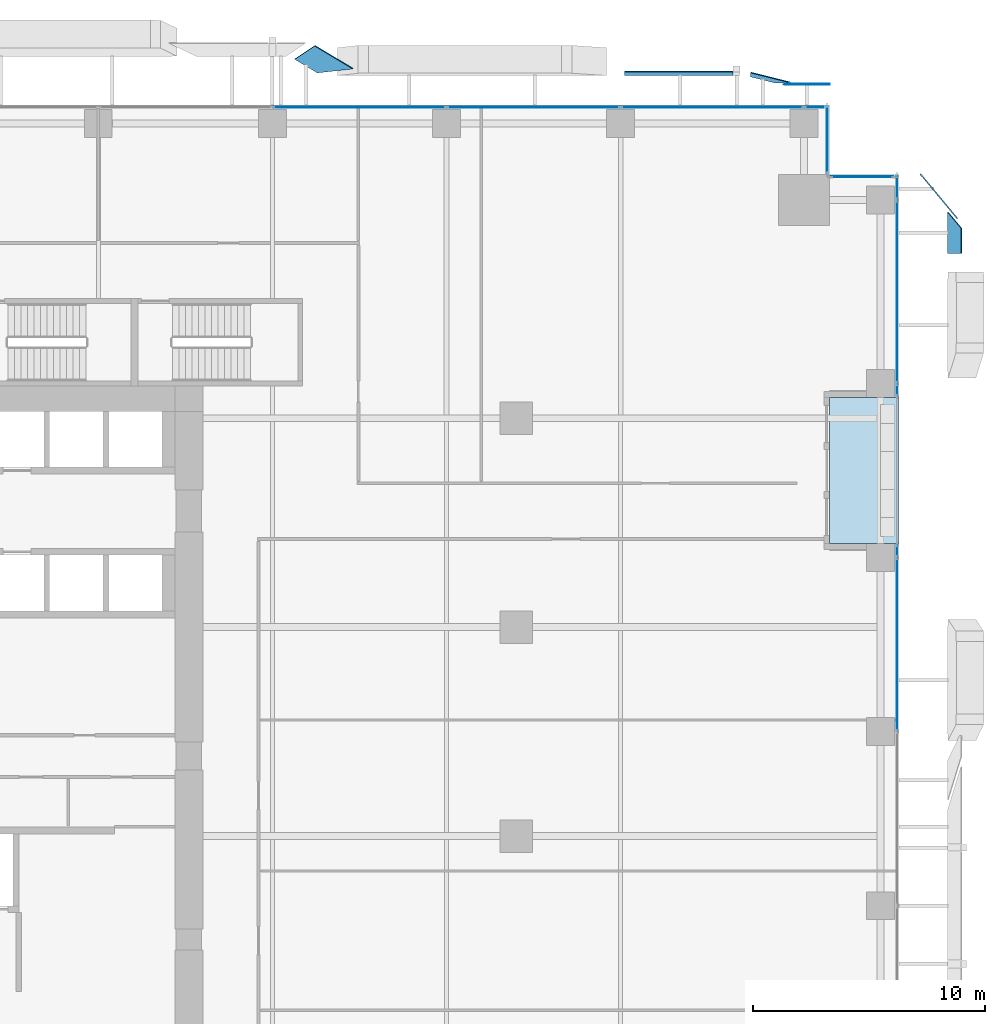
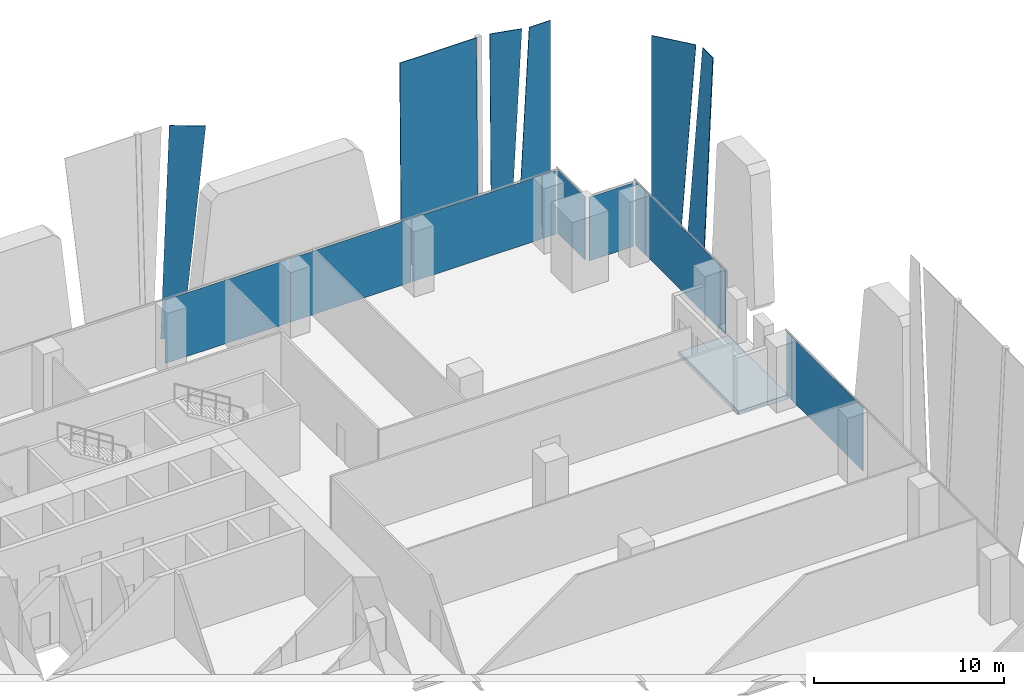
# One storey, part 28 of 37: 17 plates, 1 slab, 5 elements without a shape of their own.
"""IFC4 building model written with IfcOpenShell, lengths in metres."""

from ifc_helpers import new_model, si_unit, direction, frame, origin, origin_2d, place, context, subcontext, project, spatial, polyline, rectangle, outline, extrude, source, transform, mapped, material, layer, layer_set, type_object, element, aggregate, save


model = new_model("IFC4")

# Units and contexts
model_context = context("Model", 3, precision=1e-05, world=origin(), true_north=direction((0.0, 1.0)))
body_context = subcontext(model_context, "Body", "Model", "MODEL_VIEW")
ifc_project = project(units=[si_unit("LENGTHUNIT", "METRE"), si_unit("AREAUNIT", "SQUARE_METRE"), si_unit("VOLUMEUNIT", "CUBIC_METRE"), si_unit("PLANEANGLEUNIT", "RADIAN"), si_unit("MASSUNIT", "GRAM", prefix="KILO")], contexts=[model_context])

# Site, building, storey
site_placement = place(None, origin())
site = spatial("IfcSite", under=ifc_project, at=site_placement, CompositionType="ELEMENT")
building_placement = place(site_placement, origin())
building = spatial("IfcBuilding", under=site, at=building_placement, Name="Khomas Fold Tower", CompositionType="ELEMENT")
storey_placement = place(building_placement, frame((0.0, 0.0, 60.0)))
storey = spatial("IfcBuildingStorey", under=building, at=storey_placement, Name="L12", CompositionType="ELEMENT", Elevation=60.0)

# Plates
ifc_material_1 = material(Name="Clear laminated glass", Category="glass")
ifc_layer_1 = layer(ifc_material_1, 0.0400390625)
ifc_layer_set_1 = layer_set([ifc_layer_1], Name="Clear laminated glass")
plate_type_1 = type_object("IfcPlateType", Name="SK-Clear laminated glass leaf", PredefinedType="SHEET", material=ifc_layer_set_1)
plate_1_placement = place(storey_placement, frame((56.654052734375, 47.60009765625, 13.050048828125), z_axis=(-0.99904235518, 0.0, 0.043753543365), x_axis=(0.0, 1.0, 0.0)))
element("IfcPlate", 1, at=plate_1_placement, inside=storey, type_object=plate_type_1, Name="OUTER SKIN glass L12 EG107-9", PredefinedType="SHEET", context=body_context, shape_type="SweptSolid", body=[
    extrude(outline(polyline([(0.0, 0.0), (1.0947265625, 0.0), (1.78076171875, 13.062558119247585), (0.0, 13.062558119247585), (0.0, 0.0)])), origin(), (0.0, 0.0, -1.0), 0.0400390625),
])
plate_2_placement = place(storey_placement, frame((55.91552734375, 49.78125, 0.0), z_axis=(-0.768216357464, -0.640190306177, 9.34679e-07), x_axis=(0.043692652337, -0.052428906534, 0.997668362679)))
element("IfcPlate", 2, at=plate_2_placement, inside=storey, type_object=plate_type_1, Name="OUTER SKIN glass L12 EG107-10", PredefinedType="SHEET", context=body_context, shape_type="SweptSolid", body=[
    extrude(outline(polyline([(0.0, 0.0), (13.080547921845024, 0.0), (12.911347767373046, 2.4734023024010394), (-0.10827307986849316, 1.5827579231051128), (0.0, 0.0)])), origin(), (0.0, 0.0, -1.0), 0.0400390625),
])
plate_3_placement = place(storey_placement, frame((28.935302734375, 55.37548828125, 0.0), z_axis=(-0.513154223357, -0.855336671801, 0.071217420085), x_axis=(-0.857513950758, 0.514460712054, 2.917833e-06)))
element("IfcPlate", 3, at=plate_3_placement, inside=storey, type_object=plate_type_1, Name="OUTER SKIN glass L12 NG103-9", PredefinedType="SHEET", context=body_context, shape_type="SweptSolid", body=[
    extrude(outline(polyline([(0.0, 0.0), (1.1402813632448845, 6.938893903907228e-18), (0.6982621842827377, -13.083267617054636), (-1.219498975315713, -13.083276562626017), (0.0, 0.0)])), origin(), (0.0, 0.0, -1.0), 0.0400390625),
])
plate_4_placement = place(storey_placement, frame((42.317138671875, 55.254638671875, 0.0), z_axis=(-1.429417e-05, -0.999913529093, 0.013150442287), x_axis=(-0.19235584506, 0.012907610279, 0.981240348981)))
element("IfcPlate", 4, at=plate_4_placement, inside=storey, type_object=plate_type_1, Name="OUTER SKIN glass L12 NG106-10", PredefinedType="SHEET", context=body_context, shape_type="SweptSolid", body=[
    extrude(outline(polyline([(0.0, 0.0), (0.7653357177875576, 0.0), (12.83576782194271, -2.3660026996600547), (11.939359528364452, -6.939131654892006), (-0.868090282208408, -4.428661396556088), (0.0, 0.0)])), origin(), (0.0, 0.0, -1.0), 0.0400390625),
])
plate_5_placement = place(storey_placement, frame((49.019287109375, 54.89990234375, 0.0), z_axis=(0.0, 1.0, 0.0), x_axis=(0.052478427046, 0.0, 0.998622057985)))
element("IfcPlate", 5, at=plate_5_placement, inside=storey, type_object=plate_type_1, Name="OUTER SKIN glass L12 NG107-12", PredefinedType="SHEET", context=body_context, shape_type="SweptSolid", body=[
    extrude(outline(polyline([(0.0, 0.0), (13.068055851333002, 0.0), (13.136011314480237, 1.2931375477426834), (0.10394469692939749, 1.9779835831139498), (0.0, 0.0)])), origin(), (0.0, 0.0, -1.0), 0.0400390625),
])
plate_6_placement = place(storey_placement, frame((48.61865234375, 54.949951171875, 0.0), z_axis=(-0.242659173669, -0.970027872378, 0.012745675502), x_axis=(-0.97010667051, 0.242678898613, 9.92907e-07)))
element("IfcPlate", 6, at=plate_6_placement, inside=storey, type_object=plate_type_1, Name="OUTER SKIN glass L12 NG107-13", PredefinedType="SHEET", context=body_context, shape_type="SweptSolid", body=[
    extrude(outline(polyline([(0.0, 0.0), (1.049961376835336, 0.0), (1.0915662744573706, -13.051107878245979), (-0.6652774813543972, -13.051110665367574), (0.0, 0.0)])), origin(), (0.0, 0.0, -1.0), 0.0400390625),
])

# Curtain wall, plate
ifc_material_2 = material(Name="Aluminium framed double glazing", Category="aluminium")
curtain_wall_type = type_object("IfcCurtainWallType", Name="SK-Unitised clear-glass wall, growing floors CW1", PredefinedType="NOTDEFINED", material=ifc_material_2)
curtain_wall_1_placement = place(storey_placement, origin())
curtain_wall_1 = element("IfcCurtainWall", 7, at=curtain_wall_1_placement, inside=storey, type_object=curtain_wall_type, Name="CW1 run L12 06-0", PredefinedType="NOTDEFINED")
ifc_material_3 = material(Name="Clear double glazed unit")
ifc_layer_2 = layer(ifc_material_3, 0.031982421875)
ifc_layer_set_2 = layer_set([ifc_layer_2], Name="Clear double glazed unit")
plate_type_2 = type_object("IfcPlateType", Name="SK-Unitised clear-glass wall, growing floors glass panel CW1-P", PredefinedType="CURTAIN_PANEL", material=ifc_layer_set_2)
shared_shape_1 = source(origin(), body_context, "Body", "SweptSolid", [
    extrude(rectangle(XDim=0.81005859375, YDim=0.031982421875, at=origin_2d()), origin(), (0.0, 0.0, 1.0), 4.080078125),
])
plate_7_placement = place(storey_placement, frame((50.3349609375, 53.89990234375, 0.0), z_axis=(0.0, 0.0, 1.0), x_axis=(-1.0, 0.0, 0.0)))
plate_7 = element("IfcPlate", 8, at=plate_7_placement, type_object=plate_type_2, Name="CW1 glass panel 1", PredefinedType="CURTAIN_PANEL", context=body_context, shape_type="MappedRepresentation", body=[
    mapped(shared_shape_1, transform((0.0, 0.0, 0.0))),
])

curtain_wall_2_placement = place(storey_placement, origin())
curtain_wall_2 = element("IfcCurtainWall", 9, at=curtain_wall_2_placement, inside=storey, type_object=curtain_wall_type, Name="CW1 run L12 03-1", PredefinedType="NOTDEFINED")
shared_shape_2 = source(origin(), body_context, "Body", "SweptSolid", [
    extrude(rectangle(XDim=7.840087890625, YDim=0.031982421875, at=origin_2d()), origin(), (0.0, 0.0, 1.0), 4.080078125),
])
plate_8_placement = place(storey_placement, frame((53.89990234375, 45.949951171875, 0.0), z_axis=(0.0, 0.0, 1.0), x_axis=(0.0, 1.0, 0.0)))
plate_8 = element("IfcPlate", 10, at=plate_8_placement, type_object=plate_type_2, Name="CW1 glass panel 2", PredefinedType="CURTAIN_PANEL", context=body_context, shape_type="MappedRepresentation", body=[
    mapped(shared_shape_2, transform((0.0, 0.0, 0.0))),
])

# Plate
plate_9_placement = place(storey_placement, frame((45.949951171875, 53.89990234375, 0.0), z_axis=(0.0, 0.0, 1.0), x_axis=(-1.0, 0.0, 0.0)))
plate_9 = element("IfcPlate", 11, at=plate_9_placement, type_object=plate_type_2, Name="CW1 glass panel 2", PredefinedType="CURTAIN_PANEL", context=body_context, shape_type="MappedRepresentation", body=[
    mapped(shared_shape_2, transform((0.0, 0.0, 0.0))),
])

# Curtain wall, plate
curtain_wall_3_placement = place(storey_placement, origin())
curtain_wall_3 = element("IfcCurtainWall", 12, at=curtain_wall_3_placement, inside=storey, type_object=curtain_wall_type, Name="CW1 run L12 03-0", PredefinedType="NOTDEFINED")
shared_shape_3 = source(origin(), body_context, "Body", "SweptSolid", [
    extrude(rectangle(XDim=7.43994140625, YDim=0.031982421875, at=origin_2d()), origin(), (0.0, 0.0, 1.0), 4.080078125),
])
plate_10_placement = place(storey_placement, frame((53.89990234375, 30.75, 0.0), z_axis=(0.0, 0.0, 1.0), x_axis=(0.0, 1.0, 0.0)))
plate_10 = element("IfcPlate", 13, at=plate_10_placement, type_object=plate_type_2, Name="CW1 glass panel 5", PredefinedType="CURTAIN_PANEL", context=body_context, shape_type="MappedRepresentation", body=[
    mapped(shared_shape_3, transform((0.0, 0.0, 0.0))),
])

# Plate
plate_11_placement = place(storey_placement, frame((38.25, 53.89990234375, 0.0), z_axis=(0.0, 0.0, 1.0), x_axis=(-1.0, 0.0, 0.0)))
plate_11 = element("IfcPlate", 14, at=plate_11_placement, type_object=plate_type_2, Name="CW1 glass panel 3", PredefinedType="CURTAIN_PANEL", context=body_context, shape_type="MappedRepresentation", body=[
    mapped(shared_shape_3, transform((0.0, 0.0, 0.0))),
])

plate_12_placement = place(storey_placement, frame((30.75, 53.89990234375, 0.0), z_axis=(0.0, 0.0, 1.0), x_axis=(-1.0, 0.0, 0.0)))
plate_12 = element("IfcPlate", 15, at=plate_12_placement, type_object=plate_type_2, Name="CW1 glass panel 4", PredefinedType="CURTAIN_PANEL", context=body_context, shape_type="MappedRepresentation", body=[
    mapped(shared_shape_3, transform((0.0, 0.0, 0.0))),
])

aggregate(curtain_wall_1, [plate_7, plate_9, plate_11, plate_12])

shared_shape_4 = source(origin(), body_context, "Body", "SweptSolid", [
    extrude(rectangle(XDim=1.010009765625, YDim=0.031982421875, at=origin_2d()), origin(), (0.0, 0.0, 1.0), 4.080078125),
])
plate_13_placement = place(storey_placement, frame((53.89990234375, 50.43505859375, 0.0), z_axis=(0.0, 0.0, 1.0), x_axis=(0.0, 1.0, 0.0)))
plate_13 = element("IfcPlate", 16, at=plate_13_placement, type_object=plate_type_2, Name="CW1 glass panel 3", PredefinedType="CURTAIN_PANEL", context=body_context, shape_type="MappedRepresentation", body=[
    mapped(shared_shape_4, transform((0.0, 0.0, 0.0))),
])

# Curtain wall, plate
curtain_wall_4_placement = place(storey_placement, origin())
curtain_wall_4 = element("IfcCurtainWall", 17, at=curtain_wall_4_placement, inside=storey, type_object=curtain_wall_type, Name="CW1 corner return L12 04", PredefinedType="NOTDEFINED")
shared_shape_5 = source(origin(), body_context, "Body", "SweptSolid", [
    extrude(rectangle(XDim=2.679931640625, YDim=0.031982421875, at=origin_2d()), origin(), (0.0, 0.0, 1.0), 4.080078125),
])
plate_14_placement = place(storey_placement, frame((52.39990234375, 50.89990234375, 0.0), z_axis=(0.0, 0.0, 1.0), x_axis=(-1.0, 0.0, 0.0)))
plate_14 = element("IfcPlate", 18, at=plate_14_placement, type_object=plate_type_2, Name="CW1 glass panel 1", PredefinedType="CURTAIN_PANEL", context=body_context, shape_type="MappedRepresentation", body=[
    mapped(shared_shape_5, transform((0.0, 0.0, 0.0))),
])
aggregate(curtain_wall_4, [plate_14])

curtain_wall_5_placement = place(storey_placement, origin())
curtain_wall_5 = element("IfcCurtainWall", 19, at=curtain_wall_5_placement, inside=storey, type_object=curtain_wall_type, Name="CW1 corner return L12 05", PredefinedType="NOTDEFINED")
shared_shape_6 = source(origin(), body_context, "Body", "SweptSolid", [
    extrude(rectangle(XDim=2.8798828125, YDim=0.031982421875, at=origin_2d()), origin(), (0.0, 0.0, 1.0), 4.080078125),
])
plate_15_placement = place(storey_placement, frame((50.89990234375, 52.5, 0.0), z_axis=(0.0, 0.0, 1.0), x_axis=(0.0, 1.0, 0.0)))
plate_15 = element("IfcPlate", 20, at=plate_15_placement, type_object=plate_type_2, Name="CW1 glass panel 1", PredefinedType="CURTAIN_PANEL", context=body_context, shape_type="MappedRepresentation", body=[
    mapped(shared_shape_6, transform((0.0, 0.0, 0.0))),
])
aggregate(curtain_wall_5, [plate_15])

# Plate
shared_shape_7 = source(origin(), body_context, "Body", "SweptSolid", [
    extrude(rectangle(XDim=0.510009765625, YDim=0.031982421875, at=origin_2d()), origin(), (0.0, 0.0, 1.0), 4.080078125),
])
plate_16_placement = place(storey_placement, frame((53.89990234375, 34.784912109375, 0.0), z_axis=(0.0, 0.0, 1.0), x_axis=(0.0, 1.0, 0.0)))
plate_16 = element("IfcPlate", 21, at=plate_16_placement, type_object=plate_type_2, Name="CW1 glass panel 6", PredefinedType="CURTAIN_PANEL", context=body_context, shape_type="MappedRepresentation", body=[
    mapped(shared_shape_7, transform((0.0, 0.0, 0.0))),
])

aggregate(curtain_wall_3, [plate_10, plate_16])

plate_17_placement = place(storey_placement, frame((53.89990234375, 41.715087890625, 0.0), z_axis=(0.0, 0.0, 1.0), x_axis=(0.0, 1.0, 0.0)))
plate_17 = element("IfcPlate", 22, at=plate_17_placement, type_object=plate_type_2, Name="CW1 glass panel 1", PredefinedType="CURTAIN_PANEL", context=body_context, shape_type="MappedRepresentation", body=[
    mapped(shared_shape_7, transform((0.0, 0.0, 0.0))),
])

aggregate(curtain_wall_2, [plate_17, plate_8, plate_13])

# Slab
ifc_material_4 = material(Name="Concrete C40/50", Category="concrete")
ifc_layer_3 = layer(ifc_material_4, 0.2548828125)
ifc_layer_set_3 = layer_set([ifc_layer_3], Name="Concrete C40/50")
slab_type = type_object("IfcSlabType", Name="BL-Balcony deck 255", PredefinedType="FLOOR", material=ifc_layer_set_3)
shared_shape_8 = source(origin(), body_context, "Body", "SweptSolid", [
    extrude(outline(polyline([(51.0, 35.10009765625), (54.0, 35.10009765625), (54.0, 41.39990234375), (51.0, 41.39990234375), (51.0, 35.10009765625)])), origin(), (0.0, 0.0, 1.0), 0.255126953125),
])
slab_placement = place(storey_placement, frame((0.0, 0.0, -0.300048828125)))
element("IfcSlab", 23, at=slab_placement, inside=storey, type_object=slab_type, Name="Balcony deck BAL-L12-E4", PredefinedType="FLOOR", context=body_context, shape_type="MappedRepresentation", body=[
    mapped(shared_shape_8, transform((0.0, 0.0, 0.0))),
])

save(model, "model.ifc")
